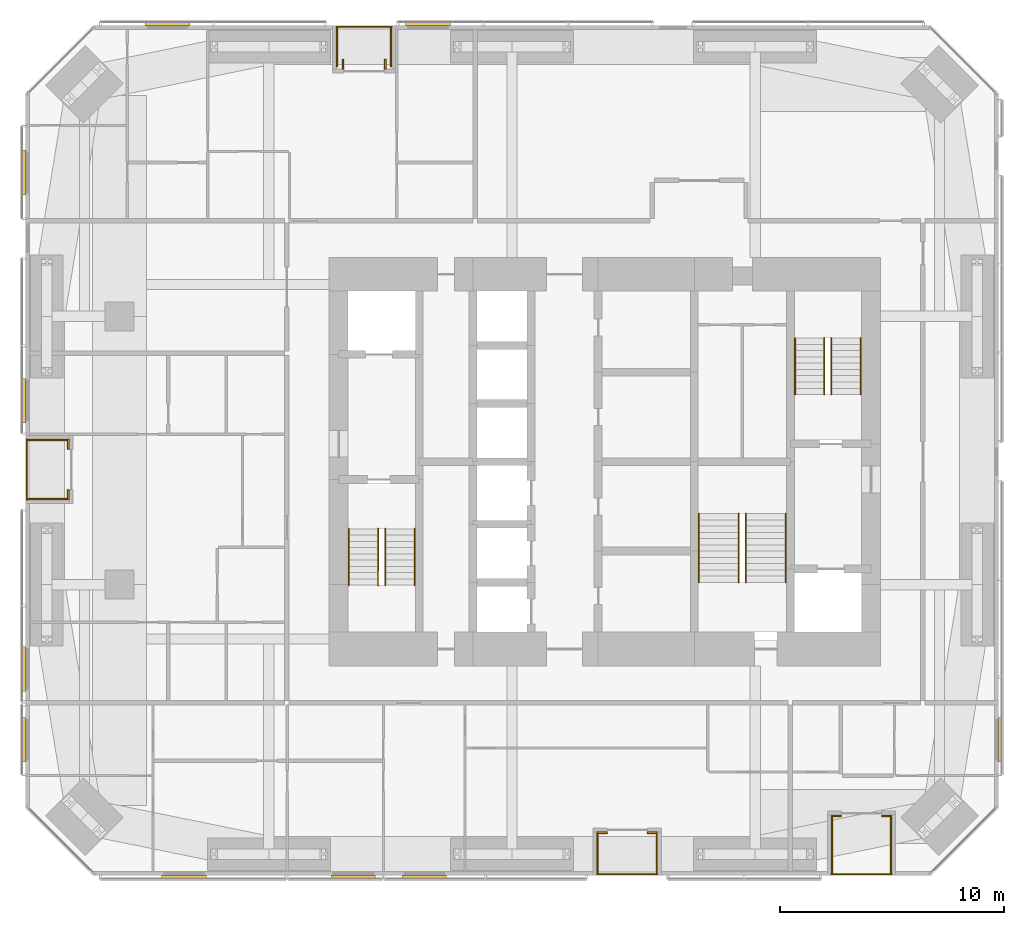
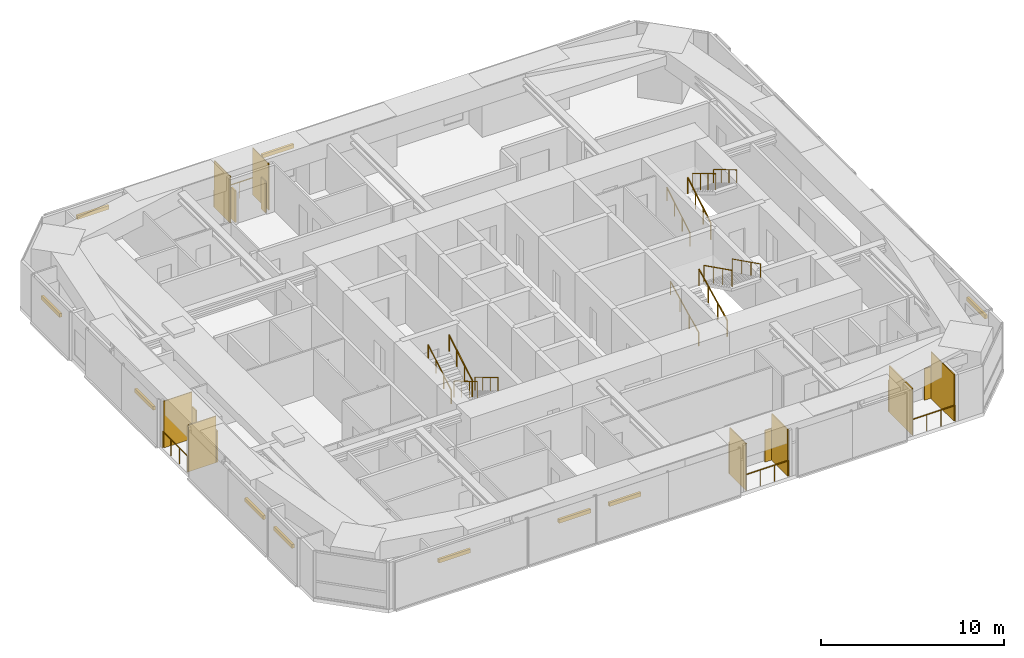
# One storey, part 24 of 24: 26 shading devices, 16 railings.
"""IFC4 building model written with IfcOpenShell, lengths in metres."""

from ifc_helpers import new_model, si_unit, direction, frame, origin, origin_2d, place, context, subcontext, project, spatial, rectangle, circle, extrude, material, layer, layer_set, constituent, constituent_set, type_object, element, save


model = new_model("IFC4")

# Units and contexts
model_context = context("Model", 3, precision=1e-05, world=origin(), true_north=direction((0.0, 1.0)))
body_context = subcontext(model_context, "Body", "Model", "MODEL_VIEW")
ifc_project = project(units=[si_unit("LENGTHUNIT", "METRE"), si_unit("AREAUNIT", "SQUARE_METRE"), si_unit("VOLUMEUNIT", "CUBIC_METRE"), si_unit("PLANEANGLEUNIT", "RADIAN"), si_unit("MASSUNIT", "GRAM", prefix="KILO")], contexts=[model_context])

# Site, building, storey
site_placement = place(None, origin())
site = spatial("IfcSite", under=ifc_project, at=site_placement, CompositionType="ELEMENT")
building_placement = place(site_placement, origin())
building = spatial("IfcBuilding", under=site, at=building_placement, Name="Jalousie Tower", CompositionType="ELEMENT")
storey_placement = place(building_placement, frame((0.0, 0.0, 135.0)))
storey = spatial("IfcBuildingStorey", under=building, at=storey_placement, Name="L37", CompositionType="ELEMENT", Elevation=135.0)

# Shading devices
ifc_material_1 = material(Name="Aluminium impact-rated louvred storm shutter", Category="aluminium")
shading_device_type_1 = type_object("IfcShadingDeviceType", Name="BI-FOLD STORM SHUTTER 900x2100", PredefinedType="SHUTTER", material=ifc_material_1)
for number, where, z_axis, x_axis, name in (
    (1, (31.77490234375, 1.909912109375, 0.0), (0.0, 0.0, 1.0), (1.0, 0.0, 0.0), "Loggia storm shutter L37"),
    (2, (34.02490234375, 1.909912109375, 0.0), (0.0, 0.0, 1.0), (1.0, 0.0, 0.0), "Loggia storm shutter L37"),
    (3, (42.25, 2.659912109375, 0.0), (0.0, 0.0, 1.0), (1.0, 0.0, 0.0), "Loggia storm shutter L37"),
    (4, (44.5, 2.659912109375, 0.0), (0.0, 0.0, 1.0), (1.0, 0.0, 0.0), "Loggia storm shutter L37"),
    (5, (22.077392578125, 36.27490234375, 0.0), (0.0, 0.0, 1.0), (0.0, -1.0, 0.0), "Loggia storm shutter L37"),
    (6, (20.197509765625, 36.27490234375, 0.0), (0.0, 0.0, 1.0), (0.0, -1.0, 0.0), "Loggia storm shutter L37"),
    (7, (7.909912109375, 19.27490234375, 0.0), (0.0, 0.0, 1.0), (0.0, -1.0, 0.0), "Loggia storm shutter L37"),
    (8, (7.909912109375, 17.02490234375, 0.0), (0.0, 0.0, 1.0), (0.0, -1.0, 0.0), "Loggia storm shutter L37"),
):
    element("IfcShadingDevice", number, at=place(storey_placement, frame(where, z_axis=z_axis, x_axis=x_axis)), inside=storey, type_object=shading_device_type_1, Name=name, PredefinedType="SHUTTER", context=body_context, shape_type="SweptSolid", body=[
        extrude(rectangle(XDim=0.449951171875, YDim=0.080078125, at=origin_2d()), origin(), (0.0, 0.0, 1.0), 2.10009765625),
    ])

# Railings
ifc_material_2 = material(Name="Powder-coated aluminium fretwork", Category="aluminium")
railing_type_1 = type_object("IfcRailingType", Name="FRETWORK BALUSTRADE 1100", PredefinedType="BALUSTRADE", material=ifc_material_2)
railing_1_placement = place(storey_placement, frame((31.550048828125, 0.050048828125, 0.0)))
element("IfcRailing", 9, at=railing_1_placement, inside=storey, type_object=railing_type_1, Name="Loggia fretwork balustrade L37", PredefinedType="BALUSTRADE", context=body_context, shape_type="SweptSolid", body=[
    extrude(rectangle(XDim=0.048095703125, YDim=0.048095703125, at=origin_2d()), frame((0.0, 0.0, 1.076171875), z_axis=(1.0, 0.0, 0.0), x_axis=(0.0, 1.0, 0.0)), (0.0, 0.0, 1.0), 2.699951171875),
    extrude(circle(Radius=0.02099609375, at=origin_2d()), origin(), (0.0, 0.0, 1.0), 1.052001953125),
    extrude(circle(Radius=0.02099609375, at=origin_2d()), frame((0.89990234375, 0.0, 0.0)), (0.0, 0.0, 1.0), 1.052001953125),
    extrude(circle(Radius=0.02099609375, at=origin_2d()), frame((1.800048828125, 0.0, 0.0)), (0.0, 0.0, 1.0), 1.052001953125),
    extrude(circle(Radius=0.02099609375, at=origin_2d()), frame((2.699951171875, 0.0, 0.0)), (0.0, 0.0, 1.0), 1.052001953125),
])
railing_2_placement = place(storey_placement, frame((42.02490234375, 0.050048828125, 0.0)))
element("IfcRailing", 10, at=railing_2_placement, inside=storey, type_object=railing_type_1, Name="Loggia fretwork balustrade L37", PredefinedType="BALUSTRADE", context=body_context, shape_type="SweptSolid", body=[
    extrude(rectangle(XDim=0.048095703125, YDim=0.048095703125, at=origin_2d()), frame((0.0, 0.0, 1.076171875), z_axis=(1.0, 0.0, 0.0), x_axis=(0.0, 1.0, 0.0)), (0.0, 0.0, 1.0), 2.7001953125),
    extrude(circle(Radius=0.02099609375, at=origin_2d()), origin(), (0.0, 0.0, 1.0), 1.052001953125),
    extrude(circle(Radius=0.02099609375, at=origin_2d()), frame((0.900146484375, 0.0, 0.0)), (0.0, 0.0, 1.0), 1.052001953125),
    extrude(circle(Radius=0.02099609375, at=origin_2d()), frame((1.800048828125, 0.0, 0.0)), (0.0, 0.0, 1.0), 1.052001953125),
    extrude(circle(Radius=0.02099609375, at=origin_2d()), frame((2.7001953125, 0.0, 0.0)), (0.0, 0.0, 1.0), 1.052001953125),
])
railing_3_placement = place(storey_placement, frame((22.375, 37.949951171875, 0.0)))
element("IfcRailing", 11, at=railing_3_placement, inside=storey, type_object=railing_type_1, Name="Loggia fretwork balustrade L37", PredefinedType="BALUSTRADE", context=body_context, shape_type="SweptSolid", body=[
    extrude(rectangle(XDim=0.048095703125, YDim=0.048095703125, at=origin_2d()), frame((0.0, 0.0, 1.076171875), z_axis=(-1.0, 0.0, 0.0), x_axis=(0.0, -1.0, 0.0)), (0.0, 0.0, 1.0), 2.47509765625),
    extrude(circle(Radius=0.02099609375, at=origin_2d()), origin(), (0.0, 0.0, 1.0), 1.052001953125),
    extrude(circle(Radius=0.02099609375, at=origin_2d()), frame((-0.824951171875, 0.0, 0.0)), (0.0, 0.0, 1.0), 1.052001953125),
    extrude(circle(Radius=0.02099609375, at=origin_2d()), frame((-1.650146484375, 0.0, 0.0)), (0.0, 0.0, 1.0), 1.052001953125),
    extrude(circle(Radius=0.02099609375, at=origin_2d()), frame((-2.47509765625, 0.0, 0.0)), (0.0, 0.0, 1.0), 1.052001953125),
])
railing_4_placement = place(storey_placement, frame((6.050048828125, 19.5, 0.0)))
element("IfcRailing", 12, at=railing_4_placement, inside=storey, type_object=railing_type_1, Name="Loggia fretwork balustrade L37", PredefinedType="BALUSTRADE", context=body_context, shape_type="SweptSolid", body=[
    extrude(rectangle(XDim=0.048095703125, YDim=0.048095703125, at=origin_2d()), frame((0.0, 0.0, 1.076171875), z_axis=(0.0, -1.0, 0.0), x_axis=(1.0, 0.0, 0.0)), (0.0, 0.0, 1.0), 2.699951171875),
    extrude(circle(Radius=0.02099609375, at=origin_2d()), origin(), (0.0, 0.0, 1.0), 1.052001953125),
    extrude(circle(Radius=0.02099609375, at=origin_2d()), frame((0.0, -0.89990234375, 0.0)), (0.0, 0.0, 1.0), 1.052001953125),
    extrude(circle(Radius=0.02099609375, at=origin_2d()), frame((0.0, -1.800048828125, 0.0)), (0.0, 0.0, 1.0), 1.052001953125),
    extrude(circle(Radius=0.02099609375, at=origin_2d()), frame((0.0, -2.699951171875, 0.0)), (0.0, 0.0, 1.0), 1.052001953125),
])

# Shading devices
ifc_material_3 = material(Name="Powder-coated aluminium louvres", Category="aluminium")
ifc_layer = layer(ifc_material_3, 0.06005859375)
ifc_layer_set = layer_set([ifc_layer], Name="Powder-coated aluminium louvres")
shading_device_type_2 = type_object("IfcShadingDeviceType", Name="JALOUSIE LOUVRE SCREEN", PredefinedType="JALOUSIE", material=ifc_layer_set)
for number, where, z_axis, x_axis, name in (
    (13, (31.580078125, 0.97509765625, 0.0), (0.0, 0.0, 1.0), (1.0, 0.0, 0.0), "Loggia jalousie louvre screen L37"),
    (14, (34.219970703125, 0.97509765625, 0.0), (0.0, 0.0, 1.0), (1.0, 0.0, 0.0), "Loggia jalousie louvre screen L37"),
):
    element("IfcShadingDevice", number, at=place(storey_placement, frame(where, z_axis=z_axis, x_axis=x_axis)), inside=storey, type_object=shading_device_type_2, Name=name, PredefinedType="JALOUSIE", context=body_context, shape_type="SweptSolid", body=[
        extrude(rectangle(XDim=0.06005859375, YDim=1.75, at=origin_2d()), origin(), (0.0, 0.0, 1.0), 3.110107421875),
    ])
for number, where, z_axis, x_axis, name in (
    (15, (42.054931640625, 1.35009765625, 0.0), (0.0, 0.0, 1.0), (1.0, 0.0, 0.0), "Loggia jalousie louvre screen L37"),
    (16, (44.695068359375, 1.35009765625, 0.0), (0.0, 0.0, 1.0), (1.0, 0.0, 0.0), "Loggia jalousie louvre screen L37"),
):
    element("IfcShadingDevice", number, at=place(storey_placement, frame(where, z_axis=z_axis, x_axis=x_axis)), inside=storey, type_object=shading_device_type_2, Name=name, PredefinedType="JALOUSIE", context=body_context, shape_type="SweptSolid", body=[
        extrude(rectangle(XDim=0.06005859375, YDim=2.5, at=origin_2d()), origin(), (0.0, 0.0, 1.0), 3.110107421875),
    ])
for number, where, z_axis, x_axis, name in (
    (17, (22.344970703125, 37.02490234375, 0.0), (0.0, 0.0, 1.0), (-1.0, 0.0, 0.0), "Loggia jalousie louvre screen L37"),
    (18, (19.929931640625, 37.02490234375, 0.0), (0.0, 0.0, 1.0), (-1.0, 0.0, 0.0), "Loggia jalousie louvre screen L37"),
    (19, (6.97509765625, 19.469970703125, 0.0), (0.0, 0.0, 1.0), (0.0, -1.0, 0.0), "Loggia jalousie louvre screen L37"),
    (20, (6.97509765625, 16.830078125, 0.0), (0.0, 0.0, 1.0), (0.0, -1.0, 0.0), "Loggia jalousie louvre screen L37"),
):
    element("IfcShadingDevice", number, at=place(storey_placement, frame(where, z_axis=z_axis, x_axis=x_axis)), inside=storey, type_object=shading_device_type_2, Name=name, PredefinedType="JALOUSIE", context=body_context, shape_type="SweptSolid", body=[
        extrude(rectangle(XDim=0.06005859375, YDim=1.75, at=origin_2d()), origin(), (0.0, 0.0, 1.0), 3.110107421875),
    ])

# Railings
ifc_material_4 = material(Name="Steel ASTM A500 Grade C", Category="steel")
ifc_constituent_1 = constituent(ifc_material_4, Name="Body")
ifc_material_5 = material(Name="Hot-dip galvanised zinc coating")
ifc_constituent_2 = constituent(ifc_material_5, Name="Finish")
ifc_constituent_set_1 = constituent_set(constituents=[ifc_constituent_1, ifc_constituent_2])
railing_type_2 = type_object("IfcRailingType", Name="STAIR GUARD 1100", PredefinedType="GUARDRAIL", material=ifc_constituent_set_1)
railing_5_placement = place(storey_placement, frame((22.080078125, 15.49755859375, 0.16748046875)))
element("IfcRailing", 21, at=railing_5_placement, inside=storey, type_object=railing_type_2, Name="Exit stair A guard L37 flight 1", PredefinedType="GUARDRAIL", context=body_context, shape_type="SweptSolid", body=[
    extrude(rectangle(XDim=0.048095703125, YDim=0.048095703125, at=origin_2d()), frame((0.0, 0.0, 1.076171875), z_axis=(0.0, -0.858159760407, 0.513382728203), x_axis=(1.0, 0.0, 0.0)), (0.0, 0.0, 1.0), 2.9365234375),
    extrude(circle(Radius=0.02099609375, at=origin_2d()), origin(), (0.0, 0.0, 1.0), 1.052001953125),
    extrude(circle(Radius=0.02099609375, at=origin_2d()), frame((0.0, -0.840087890625, 0.50244140625)), (0.0, 0.0, 1.0), 1.052001953125),
    extrude(circle(Radius=0.02099609375, at=origin_2d()), frame((0.0, -1.679931640625, 1.005126953125)), (0.0, 0.0, 1.0), 1.052001953125),
    extrude(circle(Radius=0.02099609375, at=origin_2d()), frame((0.0, -2.52001953125, 1.507568359375)), (0.0, 0.0, 1.0), 1.052001953125),
])
for number, where, name in (
    (22, (21.77001953125, 12.9775390625, 1.842529296875), "Exit stair A guard L37 flight 2"),
    (23, (41.719970703125, 21.50244140625, 0.16748046875), "Exit stair B guard L37 flight 1"),
):
    element("IfcRailing", number, at=place(storey_placement, frame(where)), inside=storey, type_object=railing_type_2, Name=name, PredefinedType="GUARDRAIL", context=body_context, shape_type="SweptSolid", body=[
        extrude(rectangle(XDim=0.048095703125, YDim=0.048095703125, at=origin_2d()), frame((0.0, 0.0, 1.076171875), z_axis=(0.0, 0.858159760407, 0.513382728203), x_axis=(-1.0, 0.0, 0.0)), (0.0, 0.0, 1.0), 2.9365234375),
        extrude(circle(Radius=0.02099609375, at=origin_2d()), origin(), (0.0, 0.0, 1.0), 1.052001953125),
        extrude(circle(Radius=0.02099609375, at=origin_2d()), frame((0.0, 0.840087890625, 0.50244140625)), (0.0, 0.0, 1.0), 1.052001953125),
        extrude(circle(Radius=0.02099609375, at=origin_2d()), frame((0.0, 1.679931640625, 1.005126953125)), (0.0, 0.0, 1.0), 1.052001953125),
        extrude(circle(Radius=0.02099609375, at=origin_2d()), frame((0.0, 2.52001953125, 1.507568359375)), (0.0, 0.0, 1.0), 1.052001953125),
    ])
railing_6_placement = place(storey_placement, frame((42.030029296875, 24.0224609375, 1.842529296875)))
element("IfcRailing", 24, at=railing_6_placement, inside=storey, type_object=railing_type_2, Name="Exit stair B guard L37 flight 2", PredefinedType="GUARDRAIL", context=body_context, shape_type="SweptSolid", body=[
    extrude(rectangle(XDim=0.048095703125, YDim=0.048095703125, at=origin_2d()), frame((0.0, 0.0, 1.076171875), z_axis=(0.0, -0.858159760407, 0.513382728203), x_axis=(1.0, 0.0, 0.0)), (0.0, 0.0, 1.0), 2.9365234375),
    extrude(circle(Radius=0.02099609375, at=origin_2d()), origin(), (0.0, 0.0, 1.0), 1.052001953125),
    extrude(circle(Radius=0.02099609375, at=origin_2d()), frame((0.0, -0.840087890625, 0.50244140625)), (0.0, 0.0, 1.0), 1.052001953125),
    extrude(circle(Radius=0.02099609375, at=origin_2d()), frame((0.0, -1.679931640625, 1.005126953125)), (0.0, 0.0, 1.0), 1.052001953125),
    extrude(circle(Radius=0.02099609375, at=origin_2d()), frame((0.0, -2.52001953125, 1.507568359375)), (0.0, 0.0, 1.0), 1.052001953125),
])
railing_7_placement = place(storey_placement, frame((37.89501953125, 13.097412109375, 0.1396484375)))
element("IfcRailing", 25, at=railing_7_placement, inside=storey, type_object=railing_type_2, Name="Exit stair C guard L37 flight 1", PredefinedType="GUARDRAIL", context=body_context, shape_type="SweptSolid", body=[
    extrude(rectangle(XDim=0.048095703125, YDim=0.048095703125, at=origin_2d()), frame((0.0, 0.0, 1.076171875), z_axis=(0.0, 0.894965676997, 0.446134998624), x_axis=(-1.0, 0.0, 0.0)), (0.0, 0.0, 1.0), 3.441650390625),
    extrude(circle(Radius=0.02099609375, at=origin_2d()), origin(), (0.0, 0.0, 1.0), 1.052001953125),
    extrude(circle(Radius=0.02099609375, at=origin_2d()), frame((0.0, 1.026611328125, 0.51171875)), (0.0, 0.0, 1.0), 1.052001953125),
    extrude(circle(Radius=0.02099609375, at=origin_2d()), frame((0.0, 2.053466796875, 1.023681640625)), (0.0, 0.0, 1.0), 1.052001953125),
    extrude(circle(Radius=0.02099609375, at=origin_2d()), frame((0.0, 3.080078125, 1.535400390625)), (0.0, 0.0, 1.0), 1.052001953125),
])
railing_8_placement = place(storey_placement, frame((38.205078125, 16.177490234375, 1.814697265625)))
element("IfcRailing", 26, at=railing_8_placement, inside=storey, type_object=railing_type_2, Name="Exit stair C guard L37 flight 2", PredefinedType="GUARDRAIL", context=body_context, shape_type="SweptSolid", body=[
    extrude(rectangle(XDim=0.048095703125, YDim=0.048095703125, at=origin_2d()), frame((0.0, 0.0, 1.076171875), z_axis=(0.0, -0.894965676997, 0.446134998624), x_axis=(1.0, 0.0, 0.0)), (0.0, 0.0, 1.0), 3.441650390625),
    extrude(circle(Radius=0.02099609375, at=origin_2d()), origin(), (0.0, 0.0, 1.0), 1.052001953125),
    extrude(circle(Radius=0.02099609375, at=origin_2d()), frame((0.0, -1.026611328125, 0.51171875)), (0.0, 0.0, 1.0), 1.052001953125),
    extrude(circle(Radius=0.02099609375, at=origin_2d()), frame((0.0, -2.053466796875, 1.023681640625)), (0.0, 0.0, 1.0), 1.052001953125),
    extrude(circle(Radius=0.02099609375, at=origin_2d()), frame((0.0, -3.080078125, 1.535400390625)), (0.0, 0.0, 1.0), 1.052001953125),
])
ifc_material_6 = material(Name="Steel ASTM A500 Grade C", Category="steel")
ifc_constituent_3 = constituent(ifc_material_6, Name="Body")
ifc_material_7 = material(Name="Hot-dip galvanised zinc coating")
ifc_constituent_4 = constituent(ifc_material_7, Name="Finish")
ifc_constituent_set_2 = constituent_set(constituents=[ifc_constituent_3, ifc_constituent_4])
railing_type_3 = type_object("IfcRailingType", Name="STAIR HANDRAIL 900", PredefinedType="HANDRAIL", material=ifc_constituent_set_2)
railing_9_placement = place(storey_placement, frame((23.39501953125, 15.49755859375, 0.16748046875)))
element("IfcRailing", 27, at=railing_9_placement, inside=storey, type_object=railing_type_3, Name="Exit stair A handrail L37 flight 1", PredefinedType="HANDRAIL", context=body_context, shape_type="SweptSolid", body=[
    extrude(circle(Radius=0.02392578125, at=origin_2d()), frame((0.0, 0.0, 0.8759765625), z_axis=(0.0, -0.858159760407, 0.513382728203), x_axis=(1.0, 0.0, 0.0)), (0.0, 0.0, 1.0), 2.9365234375),
    extrude(circle(Radius=0.02099609375, at=origin_2d()), origin(), (0.0, 0.0, 1.0), 0.851806640625),
    extrude(circle(Radius=0.02099609375, at=origin_2d()), frame((0.0, -0.840087890625, 0.50244140625)), (0.0, 0.0, 1.0), 0.851806640625),
    extrude(circle(Radius=0.02099609375, at=origin_2d()), frame((0.0, -1.679931640625, 1.005126953125)), (0.0, 0.0, 1.0), 0.851806640625),
    extrude(circle(Radius=0.02099609375, at=origin_2d()), frame((0.0, -2.52001953125, 1.507568359375)), (0.0, 0.0, 1.0), 0.851806640625),
])
for number, where, name in (
    (28, (20.455078125, 12.9775390625, 1.842529296875), "Exit stair A handrail L37 flight 2"),
    (29, (40.405029296875, 21.50244140625, 0.16748046875), "Exit stair B handrail L37 flight 1"),
):
    element("IfcRailing", number, at=place(storey_placement, frame(where)), inside=storey, type_object=railing_type_3, Name=name, PredefinedType="HANDRAIL", context=body_context, shape_type="SweptSolid", body=[
        extrude(circle(Radius=0.02392578125, at=origin_2d()), frame((0.0, 0.0, 0.8759765625), z_axis=(0.0, 0.858159760407, 0.513382728203), x_axis=(-1.0, 0.0, 0.0)), (0.0, 0.0, 1.0), 2.9365234375),
        extrude(circle(Radius=0.02099609375, at=origin_2d()), origin(), (0.0, 0.0, 1.0), 0.851806640625),
        extrude(circle(Radius=0.02099609375, at=origin_2d()), frame((0.0, 0.840087890625, 0.50244140625)), (0.0, 0.0, 1.0), 0.851806640625),
        extrude(circle(Radius=0.02099609375, at=origin_2d()), frame((0.0, 1.679931640625, 1.005126953125)), (0.0, 0.0, 1.0), 0.851806640625),
        extrude(circle(Radius=0.02099609375, at=origin_2d()), frame((0.0, 2.52001953125, 1.507568359375)), (0.0, 0.0, 1.0), 0.851806640625),
    ])
railing_10_placement = place(storey_placement, frame((43.344970703125, 24.0224609375, 1.842529296875)))
element("IfcRailing", 30, at=railing_10_placement, inside=storey, type_object=railing_type_3, Name="Exit stair B handrail L37 flight 2", PredefinedType="HANDRAIL", context=body_context, shape_type="SweptSolid", body=[
    extrude(circle(Radius=0.02392578125, at=origin_2d()), frame((0.0, 0.0, 0.8759765625), z_axis=(0.0, -0.858159760407, 0.513382728203), x_axis=(1.0, 0.0, 0.0)), (0.0, 0.0, 1.0), 2.9365234375),
    extrude(circle(Radius=0.02099609375, at=origin_2d()), origin(), (0.0, 0.0, 1.0), 0.851806640625),
    extrude(circle(Radius=0.02099609375, at=origin_2d()), frame((0.0, -0.840087890625, 0.50244140625)), (0.0, 0.0, 1.0), 0.851806640625),
    extrude(circle(Radius=0.02099609375, at=origin_2d()), frame((0.0, -1.679931640625, 1.005126953125)), (0.0, 0.0, 1.0), 0.851806640625),
    extrude(circle(Radius=0.02099609375, at=origin_2d()), frame((0.0, -2.52001953125, 1.507568359375)), (0.0, 0.0, 1.0), 0.851806640625),
])
railing_11_placement = place(storey_placement, frame((36.10498046875, 13.097412109375, 0.1396484375)))
element("IfcRailing", 31, at=railing_11_placement, inside=storey, type_object=railing_type_3, Name="Exit stair C handrail L37 flight 1", PredefinedType="HANDRAIL", context=body_context, shape_type="SweptSolid", body=[
    extrude(circle(Radius=0.02392578125, at=origin_2d()), frame((0.0, 0.0, 0.8759765625), z_axis=(0.0, 0.894965676997, 0.446134998624), x_axis=(-1.0, 0.0, 0.0)), (0.0, 0.0, 1.0), 3.441650390625),
    extrude(circle(Radius=0.02099609375, at=origin_2d()), origin(), (0.0, 0.0, 1.0), 0.851806640625),
    extrude(circle(Radius=0.02099609375, at=origin_2d()), frame((0.0, 1.026611328125, 0.51171875)), (0.0, 0.0, 1.0), 0.851806640625),
    extrude(circle(Radius=0.02099609375, at=origin_2d()), frame((0.0, 2.053466796875, 1.023681640625)), (0.0, 0.0, 1.0), 0.851806640625),
    extrude(circle(Radius=0.02099609375, at=origin_2d()), frame((0.0, 3.080078125, 1.535400390625)), (0.0, 0.0, 1.0), 0.851806640625),
])
railing_12_placement = place(storey_placement, frame((39.9951171875, 16.177490234375, 1.814697265625)))
element("IfcRailing", 32, at=railing_12_placement, inside=storey, type_object=railing_type_3, Name="Exit stair C handrail L37 flight 2", PredefinedType="HANDRAIL", context=body_context, shape_type="SweptSolid", body=[
    extrude(circle(Radius=0.02392578125, at=origin_2d()), frame((0.0, 0.0, 0.8759765625), z_axis=(0.0, -0.894965676997, 0.446134998624), x_axis=(1.0, 0.0, 0.0)), (0.0, 0.0, 1.0), 3.441650390625),
    extrude(circle(Radius=0.02099609375, at=origin_2d()), origin(), (0.0, 0.0, 1.0), 0.851806640625),
    extrude(circle(Radius=0.02099609375, at=origin_2d()), frame((0.0, -1.026611328125, 0.51171875)), (0.0, 0.0, 1.0), 0.851806640625),
    extrude(circle(Radius=0.02099609375, at=origin_2d()), frame((0.0, -2.053466796875, 1.023681640625)), (0.0, 0.0, 1.0), 0.851806640625),
    extrude(circle(Radius=0.02099609375, at=origin_2d()), frame((0.0, -3.080078125, 1.535400390625)), (0.0, 0.0, 1.0), 0.851806640625),
])

# Shading devices
ifc_material_8 = material(Name="Aluminium roller storm shutter", Category="aluminium")
shading_device_type_3 = type_object("IfcShadingDeviceType", Name="STORM SHUTTER HOUSING", PredefinedType="SHUTTER", material=ifc_material_8)
for number, where, z_axis, x_axis, name in (
    (33, (13.0849609375, -0.074951171875, 2.10009765625), (0.0, 0.0, 1.0), (1.0, 0.0, 0.0), "Storm shutter L37"),
    (34, (20.657470703125, -0.074951171875, 2.10009765625), (0.0, 0.0, 1.0), (1.0, 0.0, 0.0), "Storm shutter L37"),
    (35, (23.824951171875, -0.074951171875, 2.10009765625), (0.0, 0.0, 1.0), (1.0, 0.0, 0.0), "Storm shutter L37"),
    (36, (49.574951171875, 6.0693359375, 2.10009765625), (0.0, 0.0, 1.0), (0.0, 1.0, 0.0), "Storm shutter L37"),
    (37, (23.989990234375, 38.074951171875, 2.10009765625), (0.0, 0.0, 1.0), (-1.0, 0.0, 0.0), "Storm shutter L37"),
    (38, (12.35009765625, 38.074951171875, 2.10009765625), (0.0, 0.0, 1.0), (-1.0, 0.0, 0.0), "Storm shutter L37"),
    (39, (5.925048828125, 31.4306640625, 2.10009765625), (0.0, 0.0, 1.0), (0.0, -1.0, 0.0), "Storm shutter L37"),
    (40, (5.925048828125, 21.22998046875, 2.10009765625), (0.0, 0.0, 1.0), (0.0, -1.0, 0.0), "Storm shutter L37"),
    (41, (5.925048828125, 9.22509765625, 2.10009765625), (0.0, 0.0, 1.0), (0.0, -1.0, 0.0), "Storm shutter L37"),
    (42, (5.925048828125, 6.0693359375, 2.10009765625), (0.0, 0.0, 1.0), (0.0, -1.0, 0.0), "Storm shutter L37"),
):
    element("IfcShadingDevice", number, at=place(storey_placement, frame(where, z_axis=z_axis, x_axis=x_axis)), inside=storey, type_object=shading_device_type_3, Name=name, PredefinedType="SHUTTER", context=body_context, shape_type="SweptSolid", body=[
        extrude(rectangle(XDim=2.0, YDim=0.14990234375, at=origin_2d()), origin(), (0.0, 0.0, 1.0), 0.25),
    ])

save(model, "model.ifc")
